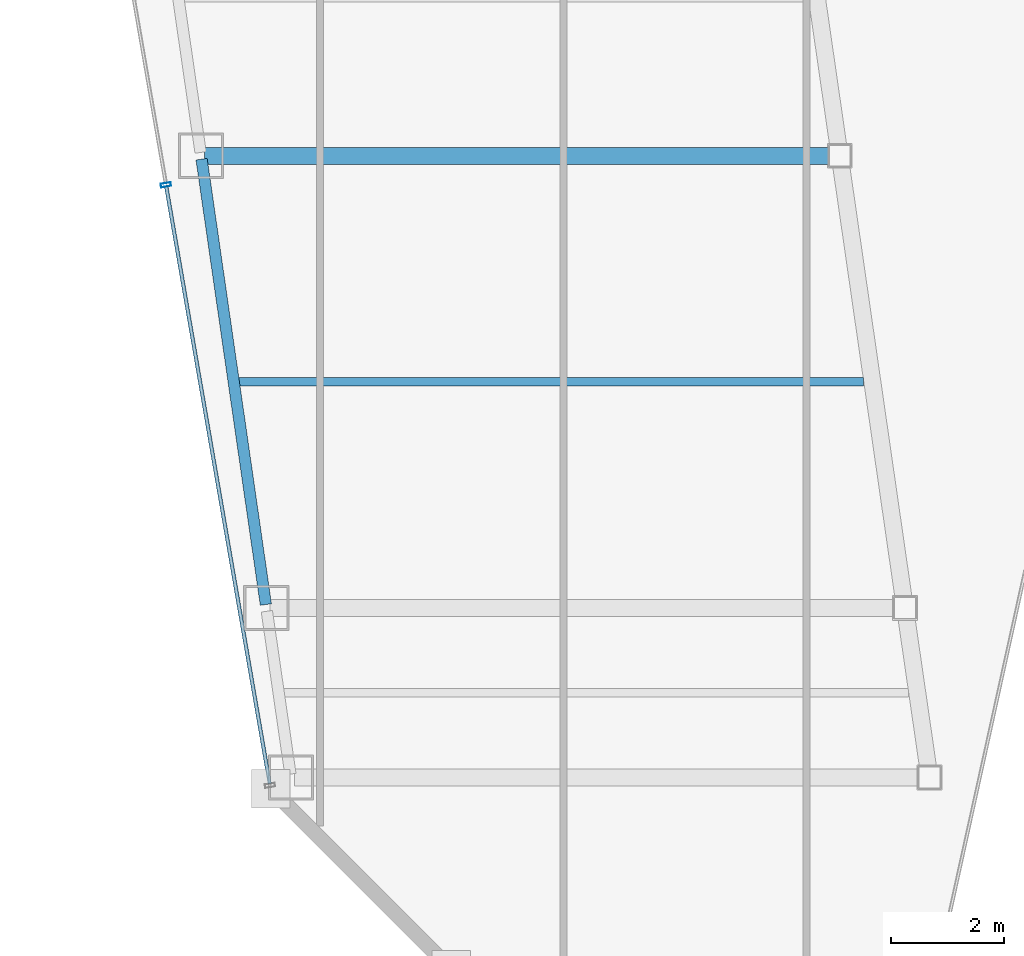
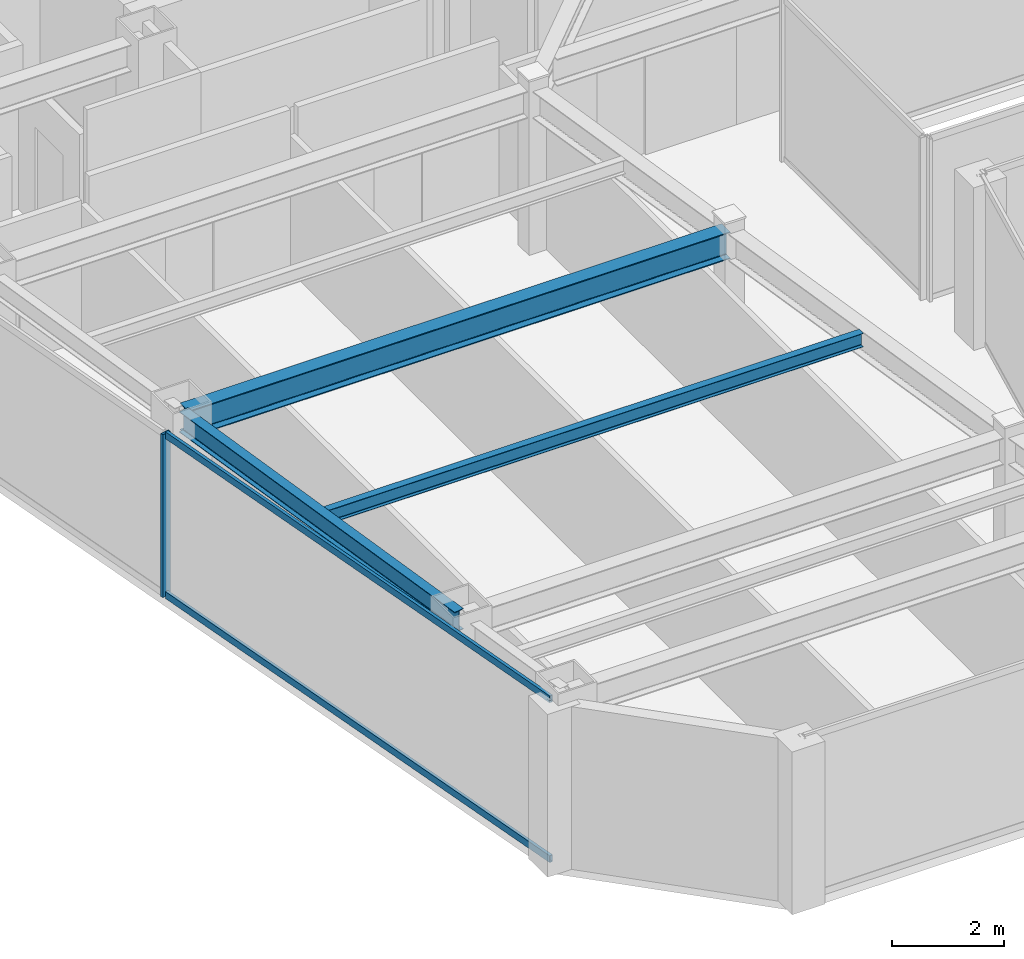
# One storey, part 4 of 33: 3 beams, 3 members, 1 element without a shape of its own.
"""IFC4 building model written with IfcOpenShell, lengths in metres."""

from ifc_helpers import new_model, si_unit, direction, frame, origin, origin_2d, place, context, subcontext, project, spatial, hollow_rectangle, i_section, extrude, material, material_profile, profile_set, type_object, element, aggregate, save


model = new_model("IFC4")

# Units and contexts
model_context = context("Model", 3, precision=1e-05, world=origin(), true_north=direction((0.0, 1.0)))
body_context = subcontext(model_context, "Body", "Model", "MODEL_VIEW")
ifc_project = project(units=[si_unit("LENGTHUNIT", "METRE"), si_unit("AREAUNIT", "SQUARE_METRE"), si_unit("VOLUMEUNIT", "CUBIC_METRE"), si_unit("PLANEANGLEUNIT", "RADIAN"), si_unit("MASSUNIT", "GRAM", prefix="KILO")], contexts=[model_context])

# Site, building, storey
site_placement = place(None, origin())
site = spatial("IfcSite", under=ifc_project, at=site_placement, CompositionType="ELEMENT")
building_placement = place(site_placement, origin())
building = spatial("IfcBuilding", under=site, at=building_placement, Name="Saevonmaru Cultural Tower", CompositionType="ELEMENT")
storey_placement = place(building_placement, frame((0.0, 0.0, 234.39990234375)))
storey = spatial("IfcBuildingStorey", under=building, at=storey_placement, Name="L54", CompositionType="ELEMENT", Elevation=234.39990234375)

# Beams
ifc_material_1 = material(Name="Steel SM355", Category="steel")
ifc_material_profile_1 = material_profile(ifc_material_1, i_section(OverallWidth=0.300048828125, OverallDepth=0.587890625, WebThickness=0.011962890625, FlangeThickness=0.02001953125, FilletRadius=0.02392578125, at=origin_2d()), Name="H-588x300x12x20")
ifc_profile_set_1 = profile_set([ifc_material_profile_1], Name="Steel SM355")
beam_type_1 = type_object("IfcBeamType", Name="BM-G-H588", PredefinedType="BEAM", material=ifc_profile_set_1)
beam_1_placement = place(storey_placement, frame((8.376953125, 32.0, 3.256103515625), z_axis=(1.0, 0.0, 0.0), x_axis=(0.0, 1.0, 0.0)))
element("IfcBeam", 1, at=beam_1_placement, inside=storey, type_object=beam_type_1, Name="L54 West Wing Transverse Girder 3", PredefinedType="BEAM", context=body_context, shape_type="SweptSolid", body=[
    extrude(i_section(OverallWidth=0.300048828125, OverallDepth=0.587890625, WebThickness=0.011962890625, FlangeThickness=0.02001953125, FilletRadius=0.02392578125, at=origin_2d()), origin(), (0.0, 0.0, 1.0), 11.179931640625),
])
ifc_material_profile_2 = material_profile(ifc_material_1, i_section(OverallWidth=0.14990234375, OverallDepth=0.300048828125, WebThickness=0.006591796875, FlangeThickness=0.009033203125, FilletRadius=0.012939453125, at=origin_2d()), Name="H-300x150x6.5x9")
ifc_profile_set_2 = profile_set([ifc_material_profile_2], Name="Steel SM355")
beam_type_2 = type_object("IfcBeamType", Name="BM-J-H300", PredefinedType="JOIST", material=ifc_profile_set_2)
beam_2_placement = place(storey_placement, frame((8.95458984375, 28.0, 3.400146484375), z_axis=(1.0, 0.0, 0.0), x_axis=(0.0, 1.0, 0.0)))
element("IfcBeam", 2, at=beam_2_placement, inside=storey, type_object=beam_type_2, Name="L54 West Wing Floor Joist 2", PredefinedType="JOIST", context=body_context, shape_type="SweptSolid", body=[
    extrude(i_section(OverallWidth=0.14990234375, OverallDepth=0.300048828125, WebThickness=0.006591796875, FlangeThickness=0.009033203125, FilletRadius=0.012939453125, at=origin_2d()), origin(), (0.0, 0.0, 1.0), 11.08203125),
])
ifc_material_profile_3 = material_profile(ifc_material_1, i_section(OverallWidth=0.199951171875, OverallDepth=0.449951171875, WebThickness=0.009033203125, FlangeThickness=0.013916015625, FilletRadius=0.01806640625, at=origin_2d()), Name="H-450x200x9x14")
ifc_profile_set_3 = profile_set([ifc_material_profile_3], Name="Steel SM355")
beam_type_3 = type_object("IfcBeamType", Name="BM-SP-H450", PredefinedType="SPANDREL", material=ifc_profile_set_3)
beam_3_placement = place(storey_placement, frame((9.46337890625, 24.059326171875, 3.3251953125), z_axis=(-0.142871999001, 0.989741174197, 0.0), x_axis=(-0.989741174197, -0.142871999001, 0.0)))
element("IfcBeam", 3, at=beam_3_placement, inside=storey, type_object=beam_type_3, Name="L54 West Splayed Spandrel 2", PredefinedType="SPANDREL", context=body_context, shape_type="SweptSolid", body=[
    extrude(i_section(OverallWidth=0.199951171875, OverallDepth=0.449951171875, WebThickness=0.009033203125, FlangeThickness=0.013916015625, FilletRadius=0.01806640625, at=origin_2d()), origin(), (0.0, 0.0, 1.0), 7.963134765625),
])

# Curtain wall, members
ifc_material_2 = material(Name="Satin Bronze Anodised Aluminium", Category="aluminium")
curtain_wall_type = type_object("IfcCurtainWallType", Name="CW-TYP-B", PredefinedType="NOTDEFINED", material=ifc_material_2)
curtain_wall_placement = place(storey_placement, origin())
curtain_wall = element("IfcCurtainWall", 4, at=curtain_wall_placement, inside=storey, type_object=curtain_wall_type, Name="L54 Unitised Curtain Wall E12", PredefinedType="NOTDEFINED")
ifc_material_profile_4 = material_profile(ifc_material_2, hollow_rectangle(XDim=0.06494140625, YDim=0.179931640625, WallThickness=0.00390625, at=origin_2d()), Name="ALU-MULL-180x65x4")
ifc_profile_set_4 = profile_set([ifc_material_profile_4], Name="Satin Bronze Anodised Aluminium")
member_type_1 = type_object("IfcMemberType", Name="ML-CW-180x65", PredefinedType="MULLION", material=ifc_profile_set_4)
member_1_placement = place(storey_placement, frame((7.6943359375, 31.486328125, 0.0), z_axis=(0.0, 0.0, 1.0), x_axis=(0.170790369887, -0.985307388359, 0.0)))
member_1 = element("IfcMember", 5, at=member_1_placement, type_object=member_type_1, Name="CW-TW-L54-E12 mullion 3", PredefinedType="MULLION", context=body_context, shape_type="SweptSolid", body=[
    extrude(hollow_rectangle(XDim=0.06494140625, YDim=0.179931640625, WallThickness=0.00390625, at=origin_2d()), origin(), (0.0, 0.0, 1.0), 3.550048828125),
])
ifc_material_profile_5 = material_profile(ifc_material_2, hollow_rectangle(XDim=0.06494140625, YDim=0.14990234375, WallThickness=0.00390625, at=origin_2d()), Name="ALU-TRAN-150x65x4")
ifc_profile_set_5 = profile_set([ifc_material_profile_5], Name="Satin Bronze Anodised Aluminium")
member_type_2 = type_object("IfcMemberType", Name="TR-CW-150x65", PredefinedType="USERDEFINED", material=ifc_profile_set_5)
member_2_placement = place(storey_placement, frame((7.699951171875, 31.454345703125, 0.03271484375), z_axis=(0.170795272137, -0.985306538604, 0.0), x_axis=(0.985306538604, 0.170795272137, 0.0)))
member_2 = element("IfcMember", 6, at=member_2_placement, type_object=member_type_2, Name="CW-TW-L54-E12 transom 3.1", ObjectType="TRANSOM", PredefinedType="USERDEFINED", context=body_context, shape_type="SweptSolid", body=[
    extrude(hollow_rectangle(XDim=0.06494140625, YDim=0.14990234375, WallThickness=0.00390625, at=origin_2d()), origin(), (0.0, 0.0, 1.0), 10.720703125),
])
member_3_placement = place(storey_placement, frame((7.699951171875, 31.454345703125, 3.517578125), z_axis=(0.170795272137, -0.985306538604, 0.0), x_axis=(0.985306538604, 0.170795272137, 0.0)))
member_3 = element("IfcMember", 7, at=member_3_placement, type_object=member_type_2, Name="CW-TW-L54-E12 transom 3.2", ObjectType="TRANSOM", PredefinedType="USERDEFINED", context=body_context, shape_type="SweptSolid", body=[
    extrude(hollow_rectangle(XDim=0.06494140625, YDim=0.14990234375, WallThickness=0.00390625, at=origin_2d()), origin(), (0.0, 0.0, 1.0), 10.720703125),
])
aggregate(curtain_wall, [member_1, member_2, member_3])

save(model, "model.ifc")
